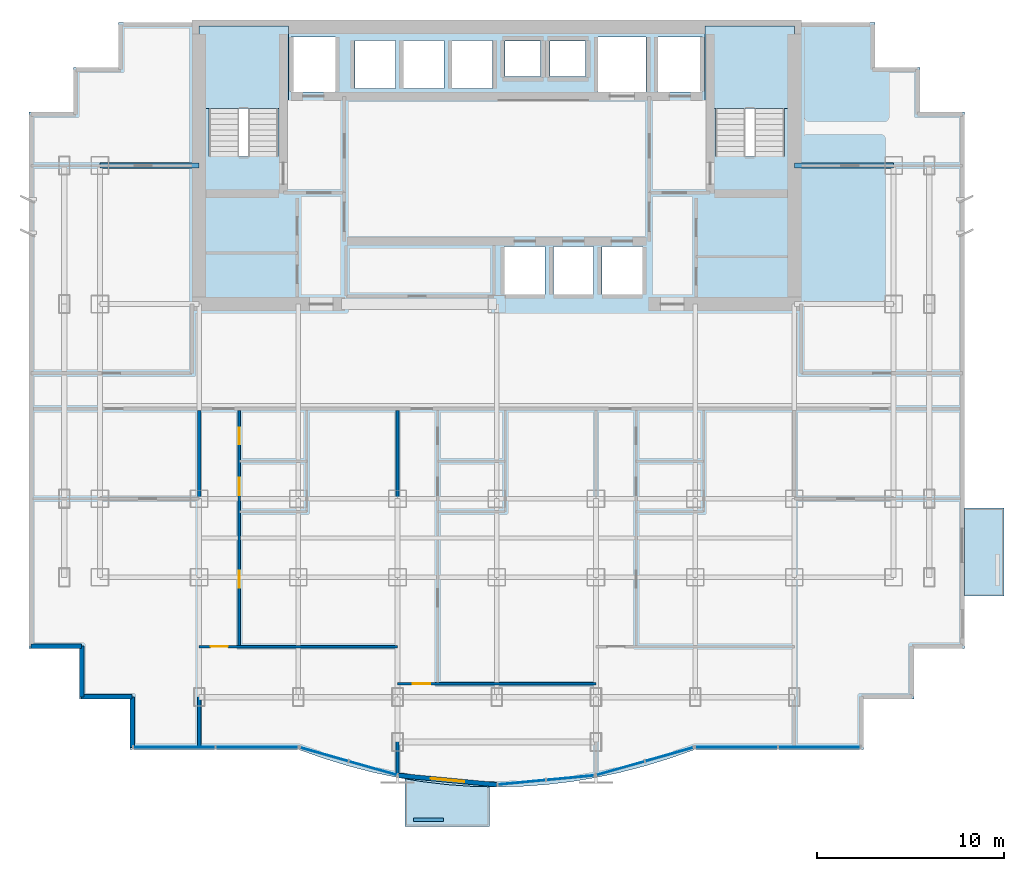
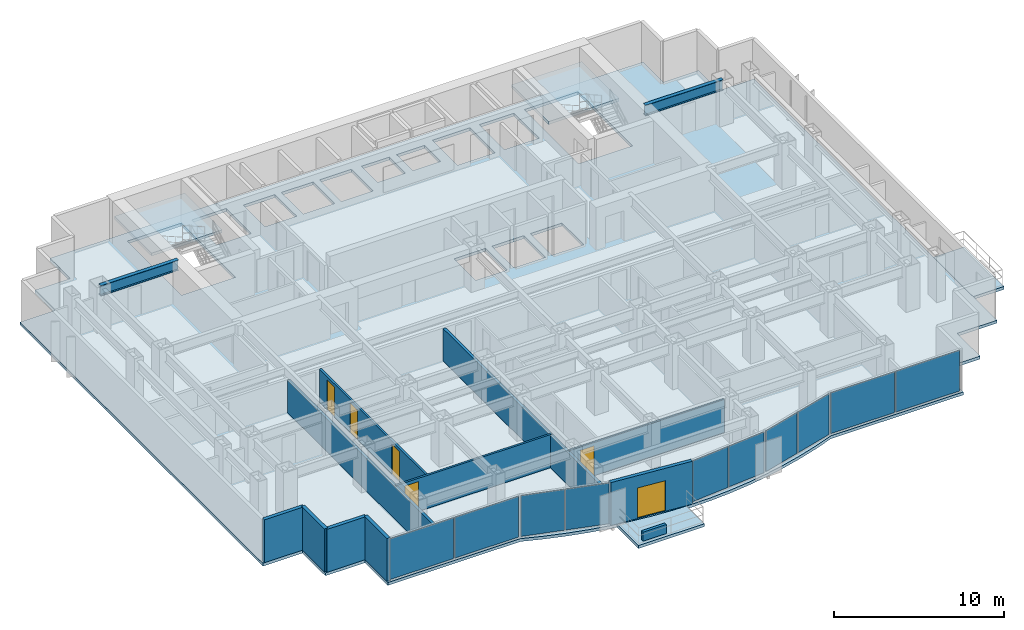
# One storey, part 4 of 9: 11 walls, 10 plates, 6 doors, 5 slabs, 2 beams, 6 openings, 7 elements without a shape of their own.
"""IFC4 building model written with IfcOpenShell, lengths in metres."""

from ifc_helpers import new_model, si_unit, direction, frame, frame_2d, origin, origin_2d, place, context, subcontext, project, spatial, polyline, rectangle, i_section, outline, extrude, source, transform, mapped, material, layer, layer_set, material_profile, profile_set, type_object, element, fill, aggregate, save


model = new_model("IFC4")

# Units and contexts
model_context = context("Model", 3, precision=1e-05, world=origin(), true_north=direction((0.0, 1.0)))
body_context = subcontext(model_context, "Body", "Model", "MODEL_VIEW")
ifc_project = project(units=[si_unit("LENGTHUNIT", "METRE"), si_unit("AREAUNIT", "SQUARE_METRE"), si_unit("VOLUMEUNIT", "CUBIC_METRE"), si_unit("PLANEANGLEUNIT", "RADIAN"), si_unit("MASSUNIT", "GRAM", prefix="KILO")], contexts=[model_context])

# Site, building, storey
site_placement = place(None, origin())
site = spatial("IfcSite", under=ifc_project, at=site_placement, CompositionType="ELEMENT")
building_placement = place(site_placement, origin())
building = spatial("IfcBuilding", under=site, at=building_placement, Name="Qianlan Lanfeng Residences", CompositionType="ELEMENT")
storey_placement = place(building_placement, frame((0.0, 0.0, 108.10009765625)))
storey = spatial("IfcBuildingStorey", under=building, at=storey_placement, Name="L29", CompositionType="ELEMENT", Elevation=108.10009765625)

# Beams
ifc_material_1 = material(Name="Steel SN490B", Category="steel")
ifc_material_profile = material_profile(ifc_material_1, i_section(OverallWidth=0.25, OverallDepth=0.75, WebThickness=0.013916015625, FlangeThickness=0.02490234375, at=origin_2d()), Name="H 750x250x14x25")
ifc_profile_set = profile_set([ifc_material_profile], Name="Steel SN490B")
beam_type = type_object("IfcBeamType", Name="G-850", PredefinedType="BEAM", material=ifc_profile_set)
for number, where, z_axis, x_axis, name in (
    (1, (5.300048828125, 32.60009765625, 2.71484375), (1.0, 0.0, 0.0), (0.0, 1.0, 0.0), "Structural beam G-850"),
    (2, (42.39990234375, 32.60009765625, 2.71484375), (1.0, 0.0, 0.0), (0.0, 1.0, 0.0), "Structural beam G-850"),
):
    element("IfcBeam", number, at=place(storey_placement, frame(where, z_axis=z_axis, x_axis=x_axis)), inside=storey, type_object=beam_type, Name=name, PredefinedType="BEAM", context=body_context, shape_type="SweptSolid", body=[
        extrude(i_section(OverallWidth=0.25, OverallDepth=0.75, WebThickness=0.013916015625, FlangeThickness=0.02490234375, at=origin_2d()), origin(), (0.0, 0.0, 1.0), 5.300048828125),
    ])

# Slabs
ifc_material_2 = material(Name="Concrete C42", Category="concrete")
ifc_layer_1 = layer(ifc_material_2, 0.2099609375)
ifc_layer_set_1 = layer_set([ifc_layer_1], Name="Concrete C42")
slab_type_1 = type_object("IfcSlabType", Name="S-BAL-210", PredefinedType="FLOOR", material=ifc_layer_set_1)
slab_1_placement = place(storey_placement, frame((0.0, 0.0, -0.210205078125)))
element("IfcSlab", 3, at=slab_1_placement, inside=storey, type_object=slab_type_1, Name="L29 Planted Tree Balcony Slab SB-C", PredefinedType="FLOOR", context=body_context, shape_type="SweptSolid", body=[
    extrude(outline(polyline([(26.10009765625, -0.591064453125), (25.177001953125, -0.569091796875), (23.85498046875, -0.47509765625), (22.531982421875, -0.319091796875), (21.60009765625, -0.1650390625), (21.60009765625, -2.699951171875), (26.10009765625, -2.699951171875), (26.10009765625, -0.591064453125)])), origin(), (0.0, 0.0, 1.0), 0.210205078125),
])
slab_2_placement = place(storey_placement, frame((0.0, 0.0, -0.210205078125)))
element("IfcSlab", 4, at=slab_2_placement, inside=storey, type_object=slab_type_1, Name="L29 Planted Tree Balcony Slab EB-S", PredefinedType="FLOOR", context=body_context, shape_type="SweptSolid", body=[
    extrude(outline(polyline([(51.5, 14.300048828125), (51.5, 9.60009765625), (53.60009765625, 9.60009765625), (53.60009765625, 14.300048828125), (51.5, 14.300048828125)])), origin(), (0.0, 0.0, 1.0), 0.210205078125),
])
ifc_layer_2 = layer(ifc_material_2, 0.2099609375)
ifc_layer_set_2 = layer_set([ifc_layer_2], Name="Concrete C42")
slab_type_2 = type_object("IfcSlabType", Name="S-FL-210", PredefinedType="FLOOR", material=ifc_layer_set_2)
slab_3_placement = place(storey_placement, frame((0.0, 0.0, -0.210205078125)))
element("IfcSlab", 5, at=slab_3_placement, inside=storey, type_object=slab_type_2, Name="L29 Structural Floor Slab", PredefinedType="FLOOR", context=body_context, shape_type="SweptSolid", body=[
    extrude(outline(polyline([(1.5, 6.800048828125), (4.199951171875, 6.800048828125), (4.199951171875, 4.10009765625), (6.89990234375, 4.10009765625), (6.89990234375, 1.39990234375), (15.919921875, 1.39990234375), (17.241943359375, 0.930908203125), (18.56494140625, 0.52490234375), (19.886962890625, 0.180908203125), (21.2099609375, -0.10009765625), (22.531982421875, -0.319091796875), (23.85498046875, -0.47509765625), (25.177001953125, -0.569091796875), (26.5, -0.60009765625), (27.822021484375, -0.569091796875), (29.14501953125, -0.47509765625), (30.467041015625, -0.319091796875), (31.7900390625, -0.10009765625), (33.112060546875, 0.180908203125), (34.43505859375, 0.52490234375), (35.758056640625, 0.930908203125), (37.080078125, 1.39990234375), (46.10009765625, 1.39990234375), (46.10009765625, 4.10009765625), (48.800048828125, 4.10009765625), (48.800048828125, 6.800048828125), (51.5, 6.800048828125), (51.5, 35.449951171875), (49.10009765625, 35.449951171875), (49.10009765625, 37.85009765625), (46.699951171875, 37.85009765625), (46.699951171875, 40.25), (6.300048828125, 40.25), (6.300048828125, 37.85009765625), (3.89990234375, 37.85009765625), (3.89990234375, 35.449951171875), (1.5, 35.449951171875), (1.5, 6.800048828125)]), holes=[polyline([(11.139892578125, 33.080078125), (11.139892578125, 39.5), (14.820068359375, 39.5), (14.820068359375, 33.080078125), (11.139892578125, 33.080078125)]), polyline([(38.179931640625, 33.080078125), (38.179931640625, 39.5), (41.860107421875, 39.5), (41.860107421875, 33.080078125), (38.179931640625, 33.080078125)]), polyline([(15.52001953125, 36.52001953125), (15.52001953125, 39.47998046875), (17.8798828125, 39.47998046875), (17.8798828125, 36.52001953125), (15.52001953125, 36.52001953125)]), polyline([(35.1201171875, 36.52001953125), (35.1201171875, 39.47998046875), (37.47998046875, 39.47998046875), (37.47998046875, 36.52001953125), (35.1201171875, 36.52001953125)]), polyline([(31.919921875, 36.52001953125), (31.919921875, 39.47998046875), (34.47998046875, 39.47998046875), (34.47998046875, 36.52001953125), (31.919921875, 36.52001953125)]), polyline([(26.919921875, 25.719970703125), (26.919921875, 28.280029296875), (29.080078125, 28.280029296875), (29.080078125, 25.719970703125), (26.919921875, 25.719970703125)]), polyline([(29.52001953125, 25.719970703125), (29.52001953125, 28.280029296875), (31.679931640625, 28.280029296875), (31.679931640625, 25.719970703125), (29.52001953125, 25.719970703125)]), polyline([(32.1201171875, 25.719970703125), (32.1201171875, 28.280029296875), (34.280029296875, 28.280029296875), (34.280029296875, 25.719970703125), (32.1201171875, 25.719970703125)]), polyline([(18.919921875, 36.719970703125), (18.919921875, 39.280029296875), (21.080078125, 39.280029296875), (21.080078125, 36.719970703125), (18.919921875, 36.719970703125)]), polyline([(21.52001953125, 36.719970703125), (21.52001953125, 39.280029296875), (23.679931640625, 39.280029296875), (23.679931640625, 36.719970703125), (21.52001953125, 36.719970703125)]), polyline([(24.1201171875, 36.719970703125), (24.1201171875, 39.280029296875), (26.280029296875, 39.280029296875), (26.280029296875, 36.719970703125), (24.1201171875, 36.719970703125)]), polyline([(26.949951171875, 37.35009765625), (26.949951171875, 39.25), (28.85009765625, 39.25), (28.85009765625, 37.35009765625), (26.949951171875, 37.35009765625)]), polyline([(29.35009765625, 37.35009765625), (29.35009765625, 39.25), (31.25, 39.25), (31.25, 37.35009765625), (29.35009765625, 37.35009765625)])]), origin(), (0.0, 0.0, 1.0), 0.210205078125),
])

# Stair, slab
stair_type = type_object("IfcStairType", Name="STR-MAIN", PredefinedType="HALF_TURN_STAIR", material=ifc_material_2)
stair_1_placement = place(storey_placement, origin())
stair_1 = element("IfcStair", 6, at=stair_1_placement, inside=storey, type_object=stair_type, Name="L29 Exit Stair ST-1", PredefinedType="HALF_TURN_STAIR")
ifc_layer_3 = layer(ifc_material_2, 0.179931640625)
ifc_layer_set_3 = layer_set([ifc_layer_3], Name="Concrete C42")
slab_type_3 = type_object("IfcSlabType", Name="S-LND-180", PredefinedType="LANDING", material=ifc_layer_set_3)
slab_4_placement = place(storey_placement, frame((0.0, 0.0, 1.449951171875)))
slab_4 = element("IfcSlab", 7, at=slab_4_placement, type_object=slab_type_3, Name="ST-1 landing 1", PredefinedType="LANDING", context=body_context, shape_type="SweptSolid", body=[
    extrude(outline(polyline([(10.580078125, 35.659912109375), (15.3798828125, 35.659912109375), (15.3798828125, 40.050048828125), (10.580078125, 40.050048828125), (10.580078125, 35.659912109375)])), origin(), (0.0, 0.0, 1.0), 0.199951171875),
])
aggregate(stair_1, [slab_4])

stair_2_placement = place(storey_placement, origin())
stair_2 = element("IfcStair", 8, at=stair_2_placement, inside=storey, type_object=stair_type, Name="L29 Exit Stair ST-2", PredefinedType="HALF_TURN_STAIR")
slab_5_placement = place(storey_placement, frame((0.0, 0.0, 1.449951171875)))
slab_5 = element("IfcSlab", 9, at=slab_5_placement, type_object=slab_type_3, Name="ST-2 landing 1", PredefinedType="LANDING", context=body_context, shape_type="SweptSolid", body=[
    extrude(outline(polyline([(37.6201171875, 35.659912109375), (42.419921875, 35.659912109375), (42.419921875, 40.050048828125), (37.6201171875, 40.050048828125), (37.6201171875, 35.659912109375)])), origin(), (0.0, 0.0, 1.0), 0.199951171875),
])
aggregate(stair_2, [slab_5])

# Curtain wall, plate
ifc_material_3 = material(Name="Anodised Bronze Aluminium 6063-T6", Category="aluminium")
ifc_layer_4 = layer(ifc_material_3, 0.219970703125)
ifc_layer_set_4 = layer_set([ifc_layer_4], Name="Anodised Bronze Aluminium 6063-T6")
curtain_wall_type = type_object("IfcCurtainWallType", Name="CW-03", PredefinedType="NOTDEFINED", material=ifc_layer_set_4)
curtain_wall_1_placement = place(storey_placement, origin())
curtain_wall_1 = element("IfcCurtainWall", 10, at=curtain_wall_1_placement, inside=storey, type_object=curtain_wall_type, Name="L29 Unitised Curtain Wall CWR-L29-02 (CW-03)", PredefinedType="NOTDEFINED")
ifc_material_4 = material(Name="Perforated Anodised Bronze Aluminium Panel", Category="aluminium")
ifc_layer_5 = layer(ifc_material_4, 0.0419921875)
ifc_layer_set_5 = layer_set([ifc_layer_5], Name="Perforated Anodised Bronze Aluminium Panel")
plate_type_1 = type_object("IfcPlateType", Name="PNL-PRF-BRZ", PredefinedType="CURTAIN_PANEL", material=ifc_layer_set_5)
shared_shape_1 = source(origin(), body_context, "Body", "SweptSolid", [
    extrude(rectangle(XDim=2.632080078125, YDim=0.0419921875, at=origin_2d()), origin(), (0.0, 0.0, 1.0), 2.931884765625),
])
plate_1_placement = place(storey_placement, frame((19.889892578125, 0.39892578125, 0.0791015625), z_axis=(0.0, 0.0, 1.0), x_axis=(0.961989074302, -0.273087936247, 0.0)))
plate_1 = element("IfcPlate", 11, at=plate_1_placement, type_object=plate_type_1, Name="CWR-L29-02 Curtain Panel 2", PredefinedType="CURTAIN_PANEL", context=body_context, shape_type="MappedRepresentation", body=[
    mapped(shared_shape_1, transform((0.0, 0.0, 0.0), scale=1.0)),
])

curtain_wall_2_placement = place(storey_placement, origin())
curtain_wall_2 = element("IfcCurtainWall", 12, at=curtain_wall_2_placement, inside=storey, type_object=curtain_wall_type, Name="L29 Unitised Curtain Wall CWR-L29-04 (CW-03)", PredefinedType="NOTDEFINED")
plate_2_placement = place(storey_placement, frame((35.717041015625, 1.138916015625, 0.0791015625), z_axis=(0.0, 0.0, 1.0), x_axis=(0.961989074302, 0.273087936247, 0.0)))
plate_2 = element("IfcPlate", 13, at=plate_2_placement, type_object=plate_type_1, Name="CWR-L29-04 Curtain Panel 2", PredefinedType="CURTAIN_PANEL", context=body_context, shape_type="MappedRepresentation", body=[
    mapped(shared_shape_1, transform((0.0, 0.0, 0.0), scale=1.0)),
])

# Curtain wall, plates
curtain_wall_3_placement = place(storey_placement, origin())
curtain_wall_3 = element("IfcCurtainWall", 14, at=curtain_wall_3_placement, inside=storey, type_object=curtain_wall_type, Name="L29 Unitised Curtain Wall CWR-L29-01 (CW-03)", PredefinedType="NOTDEFINED")
ifc_material_5 = material(Name="Dark Bronze Tinted Insulated Glass", Category="glass")
ifc_layer_6 = layer(ifc_material_5, 0.0380859375)
ifc_layer_set_6 = layer_set([ifc_layer_6], Name="Dark Bronze Tinted Insulated Glass")
plate_type_2 = type_object("IfcPlateType", Name="PNL-GLZ-BRZ", PredefinedType="CURTAIN_PANEL", material=ifc_layer_set_6)
shared_shape_2 = source(origin(), body_context, "Body", "SweptSolid", [
    extrude(rectangle(XDim=4.342529296875, YDim=0.0380859375, at=origin_2d()), origin(), (0.0, 0.0, 1.0), 2.931884765625),
])
plate_3_placement = place(storey_placement, frame((9.270263671875, 1.52001953125, 0.0791015625), z_axis=(0.0, 0.0, 1.0), x_axis=(1.0, 0.0, 0.0)))
plate_3 = element("IfcPlate", 15, at=plate_3_placement, type_object=plate_type_2, Name="CWR-L29-01 Curtain Panel 1", PredefinedType="CURTAIN_PANEL", context=body_context, shape_type="MappedRepresentation", body=[
    mapped(shared_shape_2, transform((0.0, 0.0, 0.0), scale=1.0)),
])
plate_4_placement = place(storey_placement, frame((13.690673828125, 1.52001953125, 0.0791015625), z_axis=(0.0, 0.0, 1.0), x_axis=(1.0, 0.0, 0.0)))
plate_4 = element("IfcPlate", 16, at=plate_4_placement, type_object=plate_type_2, Name="CWR-L29-01 Curtain Panel 2", PredefinedType="CURTAIN_PANEL", context=body_context, shape_type="MappedRepresentation", body=[
    mapped(shared_shape_2, transform((0.0, 0.0, 0.0), scale=1.0)),
])
aggregate(curtain_wall_3, [plate_3, plate_4])

curtain_wall_4_placement = place(storey_placement, origin())
curtain_wall_4 = element("IfcCurtainWall", 17, at=curtain_wall_4_placement, inside=storey, type_object=curtain_wall_type, Name="L29 Unitised Curtain Wall CWR-L29-05 (CW-03)", PredefinedType="NOTDEFINED")
plate_5_placement = place(storey_placement, frame((39.30908203125, 1.52001953125, 0.0791015625), z_axis=(0.0, 0.0, 1.0), x_axis=(1.0, 0.0, 0.0)))
plate_5 = element("IfcPlate", 18, at=plate_5_placement, type_object=plate_type_2, Name="CWR-L29-05 Curtain Panel 1", PredefinedType="CURTAIN_PANEL", context=body_context, shape_type="MappedRepresentation", body=[
    mapped(shared_shape_2, transform((0.0, 0.0, 0.0), scale=1.0)),
])
plate_6_placement = place(storey_placement, frame((43.729736328125, 1.52001953125, 0.0791015625), z_axis=(0.0, 0.0, 1.0), x_axis=(1.0, 0.0, 0.0)))
plate_6 = element("IfcPlate", 19, at=plate_6_placement, type_object=plate_type_2, Name="CWR-L29-05 Curtain Panel 2", PredefinedType="CURTAIN_PANEL", context=body_context, shape_type="MappedRepresentation", body=[
    mapped(shared_shape_2, transform((0.0, 0.0, 0.0), scale=1.0)),
])
aggregate(curtain_wall_4, [plate_5, plate_6])

# Plate
shared_shape_3 = source(origin(), body_context, "Body", "SweptSolid", [
    extrude(rectangle(XDim=2.632080078125, YDim=0.0380859375, at=origin_2d()), origin(), (0.0, 0.0, 1.0), 2.931884765625),
])
plate_7_placement = place(storey_placement, frame((17.282958984375, 1.138916015625, 0.0791015625), z_axis=(0.0, 0.0, 1.0), x_axis=(0.961989074302, -0.273087936247, 0.0)))
plate_7 = element("IfcPlate", 20, at=plate_7_placement, type_object=plate_type_2, Name="CWR-L29-02 Curtain Panel 1", PredefinedType="CURTAIN_PANEL", context=body_context, shape_type="MappedRepresentation", body=[
    mapped(shared_shape_3, transform((0.0, 0.0, 0.0), scale=1.0)),
])

aggregate(curtain_wall_1, [plate_7, plate_1])

plate_8_placement = place(storey_placement, frame((33.110107421875, 0.39892578125, 0.0791015625), z_axis=(0.0, 0.0, 1.0), x_axis=(0.961989074302, 0.273087936247, 0.0)))
plate_8 = element("IfcPlate", 21, at=plate_8_placement, type_object=plate_type_2, Name="CWR-L29-04 Curtain Panel 1", PredefinedType="CURTAIN_PANEL", context=body_context, shape_type="MappedRepresentation", body=[
    mapped(shared_shape_3, transform((0.0, 0.0, 0.0), scale=1.0)),
])

aggregate(curtain_wall_2, [plate_8, plate_2])

# Curtain wall, plates
curtain_wall_5_placement = place(storey_placement, origin())
curtain_wall_5 = element("IfcCurtainWall", 22, at=curtain_wall_5_placement, inside=storey, type_object=curtain_wall_type, Name="L29 Unitised Curtain Wall CWR-L29-03 (CW-03)", PredefinedType="NOTDEFINED")
shared_shape_4 = source(origin(), body_context, "Body", "SweptSolid", [
    extrude(rectangle(XDim=2.527587890625, YDim=0.0380859375, at=origin_2d()), origin(), (0.0, 0.0, 1.0), 2.931884765625),
])
plate_9_placement = place(storey_placement, frame((27.8369140625, -0.353515625, 0.0791015625), z_axis=(0.0, 0.0, 1.0), x_axis=(0.995561471839, 0.094113526067, 0.0)))
plate_9 = element("IfcPlate", 23, at=plate_9_placement, type_object=plate_type_2, Name="CWR-L29-03 Curtain Panel 1", PredefinedType="CURTAIN_PANEL", context=body_context, shape_type="MappedRepresentation", body=[
    mapped(shared_shape_4, transform((0.0, 0.0, 0.0), scale=1.0)),
])
shared_shape_5 = source(origin(), body_context, "Body", "SweptSolid", [
    extrude(rectangle(XDim=2.52783203125, YDim=0.0380859375, at=origin_2d()), origin(), (0.0, 0.0, 1.0), 2.931884765625),
])
plate_10_placement = place(storey_placement, frame((30.43115234375, -0.1083984375, 0.0791015625), z_axis=(0.0, 0.0, 1.0), x_axis=(0.995561471839, 0.094113526067, 0.0)))
plate_10 = element("IfcPlate", 24, at=plate_10_placement, type_object=plate_type_2, Name="CWR-L29-03 Curtain Panel 2", PredefinedType="CURTAIN_PANEL", context=body_context, shape_type="MappedRepresentation", body=[
    mapped(shared_shape_5, transform((0.0, 0.0, 0.0), scale=1.0)),
])
aggregate(curtain_wall_5, [plate_9, plate_10])

# Walls
ifc_layer_7 = layer(ifc_material_2, 0.239990234375)
ifc_layer_set_7 = layer_set([ifc_layer_7], Name="Concrete C42")
wall_type_1 = type_object("IfcWallType", Name="EW-240", PredefinedType="SOLIDWALL", material=ifc_layer_set_7)
for number, where, z_axis, x_axis, name in (
    (25, (1.6201171875, 6.919921875, 0.0), (0.0, 0.0, 1.0), (1.0, 0.0, 0.0), "L29 Exterior Facade Spandrel Wall 1"),
    (26, (4.320068359375, 6.919921875, 0.0), (0.0, 0.0, 1.0), (0.0, -1.0, 0.0), "L29 Exterior Facade Spandrel Wall 2"),
    (27, (4.320068359375, 4.219970703125, 0.0), (0.0, 0.0, 1.0), (1.0, 0.0, 0.0), "L29 Exterior Facade Spandrel Wall 3"),
    (28, (7.02001953125, 4.219970703125, 0.0), (0.0, 0.0, 1.0), (0.0, -1.0, 0.0), "L29 Exterior Facade Spandrel Wall 4"),
):
    element("IfcWall", number, at=place(storey_placement, frame(where, z_axis=z_axis, x_axis=x_axis)), inside=storey, type_object=wall_type_1, Name=name, PredefinedType="SOLIDWALL", context=body_context, shape_type="SweptSolid", body=[
        extrude(rectangle(XDim=2.699951171875, YDim=0.239990234375, at=frame_2d((1.35009765625, 0.0))), origin(), (0.0, 0.0, 1.0), 3.08984375),
    ])

# Wall, opening, door
wall_1_placement = place(storey_placement, frame((21.23193359375, 0.01806640625, 0.0), z_axis=(0.0, 0.0, 1.0), x_axis=(0.995560760834, -0.094121046997, 0.0)))
wall_1 = element("IfcWall", 29, at=wall_1_placement, inside=storey, type_object=wall_type_1, Name="L29 Terrace/Balcony Access Exterior Wall 5", PredefinedType="SOLIDWALL", context=body_context, shape_type="SweptSolid", body=[
    extrude(rectangle(XDim=5.29150390625, YDim=0.239990234375, at=frame_2d((2.645751953125, 0.0))), origin(), (0.0, 0.0, 1.0), 3.08984375),
])
opening_1_placement = place(wall_1_placement, frame((1.742919921875, 0.0, 0.0)))
opening_1 = element("IfcOpeningElement", 30, at=opening_1_placement, cuts=wall_1, Name="Opening L29-D-SB-C", PredefinedType="OPENING", context=body_context, shape_type="SweptSolid", body=[
    extrude(rectangle(XDim=1.800048828125, YDim=2.199951171875, at=frame_2d((0.89990234375, 1.10009765625))), frame((0.0, 0.1298828125, 0.0), z_axis=(0.0, -1.0, 0.0), x_axis=(1.0, 0.0, 0.0)), (0.0, 0.0, 1.0), 0.260009765625),
])
ifc_material_6 = material(Name="Anodised Bronze Aluminium Framed Glass", Category="aluminium")
door_type_1 = type_object("IfcDoorType", Name="DT-BAL1", OperationType="NOTDEFINED", PredefinedType="DOOR", material=ifc_material_6)
door_1_placement = place(opening_1_placement, frame((1.800048828125, 0.0, 0.0), z_axis=(0.0, 0.0, 1.0), x_axis=(-1.0, 0.0, 0.0)))
door_1 = element("IfcDoor", 31, at=door_1_placement, inside=storey, type_object=door_type_1, Name="L29 Exterior Access Door SB-C", OperationType="DOUBLE_DOOR_SLIDING", OverallHeight=2.199951171875, OverallWidth=1.800048828125, PredefinedType="DOOR", context=body_context, shape_type="SweptSolid", body=[
    extrude(rectangle(XDim=1.800048828125, YDim=2.199951171875, at=frame_2d((0.89990234375, 1.10009765625))), frame((0.0, 0.02490234375, 0.0), z_axis=(0.0, -1.0, 0.0), x_axis=(1.0, 0.0, 0.0)), (0.0, 0.0, 1.0), 0.050048828125),
])
fill(opening_1, door_1)

# Wall
ifc_layer_8 = layer(ifc_material_2, 0.199951171875)
ifc_layer_set_8 = layer_set([ifc_layer_8], Name="Concrete C42")
wall_type_2 = type_object("IfcWallType", Name="PL-TREE-200", PredefinedType="PARAPET", material=ifc_layer_set_8)
wall_2_placement = place(storey_placement, frame((22.050048828125, -2.35009765625, 0.0), z_axis=(0.0, 0.0, 1.0), x_axis=(1.0, 0.0, 0.0)))
element("IfcWall", 32, at=wall_2_placement, inside=storey, type_object=wall_type_2, Name="L29 Balcony Tree Planter Curb SB-C", PredefinedType="PARAPET", context=body_context, shape_type="SweptSolid", body=[
    extrude(rectangle(XDim=1.599853515625, YDim=0.199951171875, at=frame_2d((0.7998046875, 0.0))), origin(), (0.0, 0.0, 1.0), 0.64990234375),
])

# Wall, opening, door
ifc_material_7 = material(Name="Moisture-Resistant Gypsum Partition 135 mm")
ifc_layer_9 = layer(ifc_material_7, 0.135009765625)
ifc_layer_set_9 = layer_set([ifc_layer_9], Name="Moisture-Resistant Gypsum Partition 135 mm")
wall_type_3 = type_object("IfcWallType", Name="PW-135", PredefinedType="PARTITIONING", material=ifc_layer_set_9)
wall_3_placement = place(storey_placement, frame((10.60009765625, 6.903076171875, 0.0), z_axis=(0.0, 0.0, 1.0), x_axis=(1.0, 0.0, 0.0)))
wall_3 = element("IfcWall", 33, at=wall_3_placement, inside=storey, type_object=wall_type_3, Name="L29 U01 Living Divider", PredefinedType="PARTITIONING", context=body_context, shape_type="SweptSolid", body=[
    extrude(rectangle(XDim=10.599853515625, YDim=0.135009765625, at=frame_2d((5.2998046875, 0.0))), origin(), (0.0, 0.0, 1.0), 2.3798828125),
])
opening_2_placement = place(wall_3_placement, frame((0.614990234375, 0.0, 0.0)))
opening_2 = element("IfcOpeningElement", 34, at=opening_2_placement, cuts=wall_3, Name="Opening L29-D17", PredefinedType="OPENING", context=body_context, shape_type="SweptSolid", body=[
    extrude(rectangle(XDim=0.919921875, YDim=2.14990234375, at=frame_2d((0.4599609375, 1.074951171875))), frame((0.0, 0.07763671875, 0.0), z_axis=(0.0, -1.0, 0.0), x_axis=(1.0, 0.0, 0.0)), (0.0, 0.0, 1.0), 0.155029296875),
])
ifc_material_8 = material(Name="Glazed Timber Kitchen/Study Door", Category="wood")
door_type_2 = type_object("IfcDoorType", Name="DT-INT", OperationType="NOTDEFINED", PredefinedType="DOOR", material=ifc_material_8)
door_2_placement = place(opening_2_placement, frame((0.919921875, 0.0, 0.0), z_axis=(0.0, 0.0, 1.0), x_axis=(-1.0, 0.0, 0.0)))
door_2 = element("IfcDoor", 35, at=door_2_placement, inside=storey, type_object=door_type_2, Name="L29 U01 Living Passage Door L29-D17 (DT-INT)", OperationType="SINGLE_SWING_RIGHT", OverallHeight=2.14990234375, OverallWidth=0.919921875, PredefinedType="DOOR", context=body_context, shape_type="SweptSolid", body=[
    extrude(rectangle(XDim=0.919921875, YDim=2.14990234375, at=frame_2d((0.4599609375, 1.074951171875))), frame((0.0, 0.02490234375, 0.0), z_axis=(0.0, -1.0, 0.0), x_axis=(1.0, 0.0, 0.0)), (0.0, 0.0, 1.0), 0.050048828125),
])
fill(opening_2, door_2)

# Wall, openings, doors
wall_4_placement = place(storey_placement, frame((12.75, 6.903076171875, 0.0), z_axis=(0.0, 0.0, 1.0), x_axis=(0.0, 1.0, 0.0)))
wall_4 = element("IfcWall", 36, at=wall_4_placement, inside=storey, type_object=wall_type_3, Name="L29 U01 Entry Hall Spine", PredefinedType="PARTITIONING", context=body_context, shape_type="SweptSolid", body=[
    extrude(rectangle(XDim=12.596923828125, YDim=0.135009765625, at=frame_2d((6.29833984375, 0.0))), origin(), (0.0, 0.0, 1.0), 2.3798828125),
])
opening_3_placement = place(wall_4_placement, frame((3.138916015625, 0.0, 0.0)))
opening_3 = element("IfcOpeningElement", 37, at=opening_3_placement, cuts=wall_4, Name="Opening L29-D18", PredefinedType="OPENING", context=body_context, shape_type="SweptSolid", body=[
    extrude(rectangle(XDim=0.919921875, YDim=2.14990234375, at=frame_2d((0.4599609375, 1.074951171875))), frame((0.0, 0.07763671875, 0.0), z_axis=(0.0, -1.0, 0.0), x_axis=(1.0, 0.0, 0.0)), (0.0, 0.0, 1.0), 0.155029296875),
])
opening_4_placement = place(wall_4_placement, frame((8.0869140625, 0.0, 0.0)))
opening_4 = element("IfcOpeningElement", 38, at=opening_4_placement, cuts=wall_4, Name="Opening L29-D19", PredefinedType="OPENING", context=body_context, shape_type="SweptSolid", body=[
    extrude(rectangle(XDim=0.919921875, YDim=2.14990234375, at=frame_2d((0.4599609375, 1.074951171875))), frame((0.0, 0.07763671875, 0.0), z_axis=(0.0, -1.0, 0.0), x_axis=(1.0, 0.0, 0.0)), (0.0, 0.0, 1.0), 0.155029296875),
])
opening_5_placement = place(wall_4_placement, frame((10.797119140625, 0.0, 0.0)))
opening_5 = element("IfcOpeningElement", 39, at=opening_5_placement, cuts=wall_4, Name="Opening L29-D20", PredefinedType="OPENING", context=body_context, shape_type="SweptSolid", body=[
    extrude(rectangle(XDim=0.89990234375, YDim=2.14990234375, at=frame_2d((0.449951171875, 1.074951171875))), frame((0.0, 0.07763671875, 0.0), z_axis=(0.0, -1.0, 0.0), x_axis=(1.0, 0.0, 0.0)), (0.0, 0.0, 1.0), 0.155029296875),
])
door_3_placement = place(opening_3_placement, origin())
door_3 = element("IfcDoor", 40, at=door_3_placement, inside=storey, type_object=door_type_2, Name="L29 U01 Study Door L29-D18 (DT-INT)", OperationType="SINGLE_SWING_LEFT", OverallHeight=2.14990234375, OverallWidth=0.919921875, PredefinedType="DOOR", context=body_context, shape_type="SweptSolid", body=[
    extrude(rectangle(XDim=0.919921875, YDim=2.14990234375, at=frame_2d((0.4599609375, 1.074951171875))), frame((0.0, 0.02490234375, 0.0), z_axis=(0.0, -1.0, 0.0), x_axis=(1.0, 0.0, 0.0)), (0.0, 0.0, 1.0), 0.050048828125),
])
fill(opening_3, door_3)
door_4_placement = place(opening_4_placement, origin())
door_4 = element("IfcDoor", 41, at=door_4_placement, inside=storey, type_object=door_type_2, Name="L29 U01 Kitchen Door L29-D19 (DT-INT)", OperationType="SINGLE_SWING_RIGHT", OverallHeight=2.14990234375, OverallWidth=0.919921875, PredefinedType="DOOR", context=body_context, shape_type="SweptSolid", body=[
    extrude(rectangle(XDim=0.919921875, YDim=2.14990234375, at=frame_2d((0.4599609375, 1.074951171875))), frame((0.0, 0.02490234375, 0.0), z_axis=(0.0, -1.0, 0.0), x_axis=(1.0, 0.0, 0.0)), (0.0, 0.0, 1.0), 0.050048828125),
])
fill(opening_4, door_4)
ifc_material_9 = material(Name="Moisture-Resistant Timber Leaf", Category="wood")
door_type_3 = type_object("IfcDoorType", Name="DT-WC", OperationType="NOTDEFINED", PredefinedType="DOOR", material=ifc_material_9)
door_5_placement = place(opening_5_placement, origin())
door_5 = element("IfcDoor", 42, at=door_5_placement, inside=storey, type_object=door_type_3, Name="L29 U01 Bathroom Door L29-D20 (DT-WC)", OperationType="SINGLE_SWING_LEFT", OverallHeight=2.14990234375, OverallWidth=0.89990234375, PredefinedType="DOOR", context=body_context, shape_type="SweptSolid", body=[
    extrude(rectangle(XDim=0.89990234375, YDim=2.14990234375, at=frame_2d((0.449951171875, 1.074951171875))), frame((0.0, 0.02490234375, 0.0), z_axis=(0.0, -1.0, 0.0), x_axis=(1.0, 0.0, 0.0)), (0.0, 0.0, 1.0), 0.050048828125),
])
fill(opening_5, door_5)

# Wall, opening, door
wall_5_placement = place(storey_placement, frame((21.199951171875, 4.903076171875, 0.0), z_axis=(0.0, 0.0, 1.0), x_axis=(1.0, 0.0, 0.0)))
wall_5 = element("IfcWall", 43, at=wall_5_placement, inside=storey, type_object=wall_type_3, Name="L29 U02 Living Divider", PredefinedType="PARTITIONING", context=body_context, shape_type="SweptSolid", body=[
    extrude(rectangle(XDim=10.60009765625, YDim=0.135009765625, at=frame_2d((5.300048828125, 0.0))), origin(), (0.0, 0.0, 1.0), 2.3798828125),
])
opening_6_placement = place(wall_5_placement, frame((0.81494140625, 0.0, 0.0)))
opening_6 = element("IfcOpeningElement", 44, at=opening_6_placement, cuts=wall_5, Name="Opening L29-D22", PredefinedType="OPENING", context=body_context, shape_type="SweptSolid", body=[
    extrude(rectangle(XDim=0.919921875, YDim=2.14990234375, at=frame_2d((0.4599609375, 1.074951171875))), frame((0.0, 0.07763671875, 0.0), z_axis=(0.0, -1.0, 0.0), x_axis=(1.0, 0.0, 0.0)), (0.0, 0.0, 1.0), 0.155029296875),
])
door_6_placement = place(opening_6_placement, origin())
door_6 = element("IfcDoor", 45, at=door_6_placement, inside=storey, type_object=door_type_2, Name="L29 U02 Living Passage Door L29-D22 (DT-INT)", OperationType="SINGLE_SWING_LEFT", OverallHeight=2.14990234375, OverallWidth=0.919921875, PredefinedType="DOOR", context=body_context, shape_type="SweptSolid", body=[
    extrude(rectangle(XDim=0.919921875, YDim=2.14990234375, at=frame_2d((0.4599609375, 1.074951171875))), frame((0.0, 0.02490234375, 0.0), z_axis=(0.0, -1.0, 0.0), x_axis=(1.0, 0.0, 0.0)), (0.0, 0.0, 1.0), 0.050048828125),
])
fill(opening_6, door_6)

# Walls
ifc_material_10 = material(Name="Double-Layer Acoustic Gypsum Stud Wall 180 mm")
ifc_layer_10 = layer(ifc_material_10, 0.179931640625)
ifc_layer_set_10 = layer_set([ifc_layer_10], Name="Double-Layer Acoustic Gypsum Stud Wall 180 mm")
wall_type_4 = type_object("IfcWallType", Name="PW-180", PredefinedType="PARTITIONING", material=ifc_layer_set_10)
wall_6_placement = place(storey_placement, frame((10.60009765625, 1.6201171875, 0.0), z_axis=(0.0, 0.0, 1.0), x_axis=(0.0, 1.0, 0.0)))
element("IfcWall", 46, at=wall_6_placement, inside=storey, type_object=wall_type_4, Name="L29 Wing Boundary Party Wall W0", PredefinedType="PARTITIONING", context=body_context, shape_type="SweptSolid", body=[
    extrude(rectangle(XDim=17.8798828125, YDim=0.179931640625, at=frame_2d((8.93994140625, 0.0))), origin(), (0.0, 0.0, 1.0), 2.3349609375),
])
wall_7_placement = place(storey_placement, frame((21.199951171875, 0.126953125, 0.0), z_axis=(0.0, 0.0, 1.0), x_axis=(0.0, 1.0, 0.0)))
element("IfcWall", 47, at=wall_7_placement, inside=storey, type_object=wall_type_4, Name="L29 Inter-Tenancy Party Wall 2", PredefinedType="PARTITIONING", context=body_context, shape_type="SweptSolid", body=[
    extrude(rectangle(XDim=19.373046875, YDim=0.179931640625, at=frame_2d((9.6865234375, 0.0))), origin(), (0.0, 0.0, 1.0), 2.3349609375),
])

save(model, "model.ifc")
